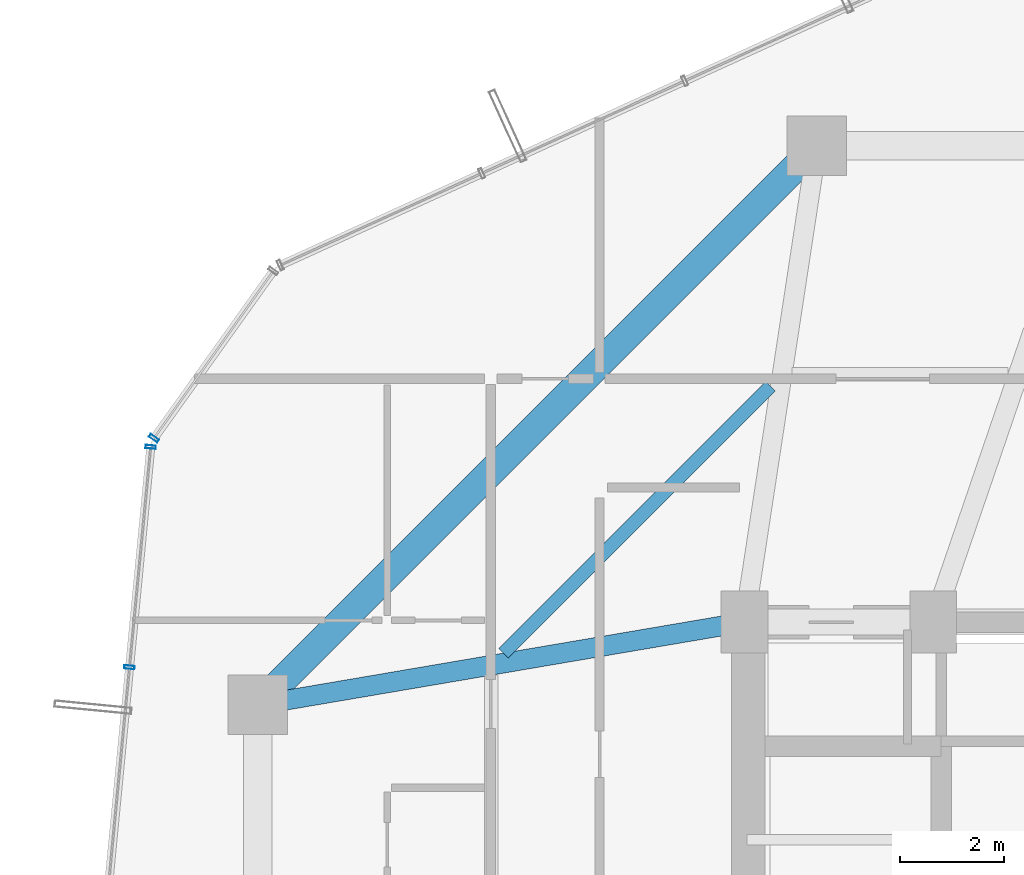
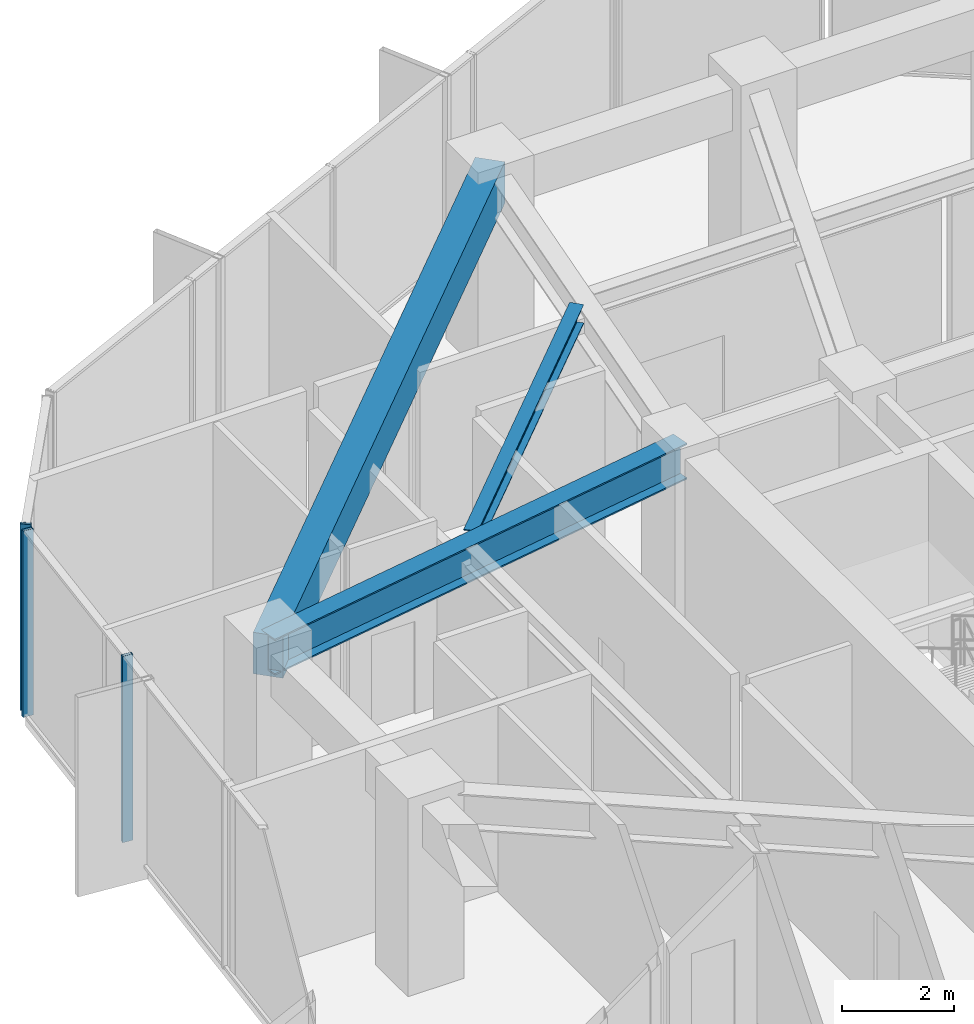
# One storey, part 10 of 25: 3 beams, 3 members, 2 elements without a shape of their own.
"""IFC4 building model written with IfcOpenShell, lengths in metres."""

from ifc_helpers import new_model, si_unit, direction, frame, origin, origin_2d, place, context, subcontext, project, spatial, rectangle, hollow_rectangle, i_section, extrude, source, transform, mapped, material, layer, layer_set, material_profile, profile_set, type_object, element, aggregate, save


model = new_model("IFC4")

# Units and contexts
model_context = context("Model", 3, precision=1e-05, world=origin(), true_north=direction((0.0, 1.0)))
body_context = subcontext(model_context, "Body", "Model", "MODEL_VIEW")
ifc_project = project(units=[si_unit("LENGTHUNIT", "METRE"), si_unit("AREAUNIT", "SQUARE_METRE"), si_unit("VOLUMEUNIT", "CUBIC_METRE"), si_unit("PLANEANGLEUNIT", "RADIAN"), si_unit("MASSUNIT", "GRAM", prefix="KILO")], contexts=[model_context])

# Site, building, storey
site_placement = place(None, origin())
site = spatial("IfcSite", under=ifc_project, at=site_placement, CompositionType="ELEMENT")
building_placement = place(site_placement, origin())
building = spatial("IfcBuilding", under=site, at=building_placement, Name="Veraguas Prism Commons", CompositionType="ELEMENT")
storey_placement = place(building_placement, frame((0.0, 0.0, 108.949951171875)))
storey = spatial("IfcBuildingStorey", under=building, at=storey_placement, Name="L30", CompositionType="ELEMENT", Elevation=108.949951171875)

# Beams
ifc_material_1 = material(Name="Steel ASTM A992 Grade 50", Category="steel")
ifc_material_profile_1 = material_profile(ifc_material_1, i_section(OverallWidth=0.382080078125, OverallDepth=0.779052734375, WebThickness=0.01806640625, FlangeThickness=0.030029296875, at=origin_2d()), Name="W760X284")
ifc_profile_set_1 = profile_set([ifc_material_profile_1], Name="Steel ASTM A992 Grade 50")
beam_type_1 = type_object("IfcBeamType", Name="Assembly Primary Girder W760x284", PredefinedType="BEAM", material=ifc_profile_set_1)
beam_1_placement = place(storey_placement, frame((7.800048828125, 29.39990234375, 3.66064453125), z_axis=(0.985819187151, 0.1678109956, 0.0), x_axis=(-0.1678109956, 0.985819187151, 0.0)))
element("IfcBeam", 1, at=beam_1_placement, inside=storey, type_object=beam_type_1, Name="Radial Floor Girder L30-RD07", PredefinedType="BEAM", context=body_context, shape_type="SweptSolid", body=[
    extrude(i_section(OverallWidth=0.382080078125, OverallDepth=0.779052734375, WebThickness=0.01806640625, FlangeThickness=0.030029296875, at=origin_2d()), origin(), (0.0, 0.0, 1.0), 9.53515625),
])
ifc_material_profile_2 = material_profile(ifc_material_1, i_section(OverallWidth=0.260986328125, OverallDepth=0.419921875, WebThickness=0.01171875, FlangeThickness=0.019287109375, at=origin_2d()), Name="W410X114")
ifc_profile_set_2 = profile_set([ifc_material_profile_2], Name="Steel ASTM A992 Grade 50")
beam_type_2 = type_object("IfcBeamType", Name="Lower Floor Joist W410x114", PredefinedType="JOIST", material=ifc_profile_set_2)
beam_2_placement = place(storey_placement, frame((17.702392578125, 35.55859375, 3.840087890625), z_axis=(-0.707090051465, -0.707123510512, 0.0), x_axis=(0.707123510512, -0.707090051465, 0.0)))
element("IfcBeam", 2, at=beam_2_placement, inside=storey, type_object=beam_type_2, Name="Composite Floor Joist L30-JS06", PredefinedType="JOIST", context=body_context, shape_type="SweptSolid", body=[
    extrude(i_section(OverallWidth=0.260986328125, OverallDepth=0.419921875, WebThickness=0.01171875, FlangeThickness=0.019287109375, at=origin_2d()), origin(), (0.0, 0.0, 1.0), 7.296630859375),
])
ifc_material_2 = material(Name="Concrete C50/60", Category="concrete")
ifc_material_profile_3 = material_profile(ifc_material_2, rectangle(XDim=0.550048828125, YDim=0.89990234375, at=origin_2d()), Name="RC550X900")
ifc_profile_set_3 = profile_set([ifc_material_profile_3], Name="Concrete C50/60")
beam_type_3 = type_object("IfcBeamType", Name="Perimeter Spandrel Lower RC 550x900", PredefinedType="SPANDREL", material=ifc_profile_set_3)
beam_3_placement = place(storey_placement, frame((18.60009765625, 40.199951171875, 3.60009765625), z_axis=(-0.707106781187, -0.707106781187, 0.0), x_axis=(0.707106781187, -0.707106781187, 0.0)))
element("IfcBeam", 3, at=beam_3_placement, inside=storey, type_object=beam_type_3, Name="Perimeter Spandrel Beam L30-SP06", PredefinedType="SPANDREL", context=body_context, shape_type="SweptSolid", body=[
    extrude(rectangle(XDim=0.550048828125, YDim=0.89990234375, at=origin_2d()), origin(), (0.0, 0.0, 1.0), 15.273681640625),
])

# Curtain wall, members
ifc_material_3 = material(Name="Anodised aluminium EN AW-6063 T6", Category="aluminium")
ifc_layer = layer(ifc_material_3, 0.199951171875, Name="Sky Lobby and Pool Acoustic Curtain Wall", Category="aluminium")
ifc_layer_set = layer_set([ifc_layer], Name="Anodised aluminium EN AW-6063 T6")
curtain_wall_type = type_object("IfcCurtainWallType", Name="Sky Lobby and Pool Acoustic Curtain Wall", PredefinedType="NOTDEFINED", material=ifc_layer_set)
curtain_wall_1_placement = place(storey_placement, origin())
curtain_wall_1 = element("IfcCurtainWall", 4, at=curtain_wall_1_placement, inside=storey, type_object=curtain_wall_type, Name="Tower Facade Curtain Wall L30-F3", PredefinedType="NOTDEFINED")
ifc_material_profile_4 = material_profile(ifc_material_3, hollow_rectangle(XDim=0.06494140625, YDim=0.199951171875, WallThickness=0.00390625, at=origin_2d()), Name="AL65X200X4")
ifc_profile_set_4 = profile_set([ifc_material_profile_4], Name="Anodised aluminium EN AW-6063 T6")
member_type = type_object("IfcMemberType", Name="Curtain Wall Mullion Heavy AL 65x200x4", PredefinedType="MULLION", material=ifc_profile_set_4)
shared_shape = source(origin(), body_context, "Body", "SweptSolid", [
    extrude(hollow_rectangle(XDim=0.06494140625, YDim=0.199951171875, WallThickness=0.00390625, at=origin_2d()), origin(), (0.0, 0.0, 1.0), 4.050048828125),
])
member_1_placement = place(storey_placement, frame((5.728515625, 34.3837890625, 0.0), z_axis=(0.0, 0.0, 1.0), x_axis=(-0.095837066046, -0.995397034741, 0.0)))
member_1 = element("IfcMember", 5, at=member_1_placement, type_object=member_type, Name="CW-SKY Mullion 1", PredefinedType="MULLION", context=body_context, shape_type="MappedRepresentation", body=[
    mapped(shared_shape, transform((0.0, 0.0, 0.0), scale=1.0)),
])
member_2_placement = place(storey_placement, frame((5.31884765625, 30.12744140625, 0.0), z_axis=(0.0, 0.0, 1.0), x_axis=(-0.095837066046, -0.995397034741, 0.0)))
member_2 = element("IfcMember", 6, at=member_2_placement, type_object=member_type, Name="CW-SKY Mullion 2", PredefinedType="MULLION", context=body_context, shape_type="MappedRepresentation", body=[
    mapped(shared_shape, transform((0.0, 0.0, 0.0), scale=1.0)),
])
aggregate(curtain_wall_1, [member_1, member_2])

# Curtain wall, member
curtain_wall_2_placement = place(storey_placement, origin())
curtain_wall_2 = element("IfcCurtainWall", 7, at=curtain_wall_2_placement, inside=storey, type_object=curtain_wall_type, Name="Chamfer Curtain Wall L30-C3", PredefinedType="NOTDEFINED")
member_3_placement = place(storey_placement, frame((5.791259765625, 34.551025390625, 0.0), z_axis=(0.0, 0.0, 1.0), x_axis=(-0.580720006379, -0.814103355964, 0.0)))
member_3 = element("IfcMember", 8, at=member_3_placement, type_object=member_type, Name="CW-SKY Mullion 2", PredefinedType="MULLION", context=body_context, shape_type="MappedRepresentation", body=[
    mapped(shared_shape, transform((0.0, 0.0, 0.0), scale=1.0)),
])
aggregate(curtain_wall_2, [member_3])

save(model, "model.ifc")
